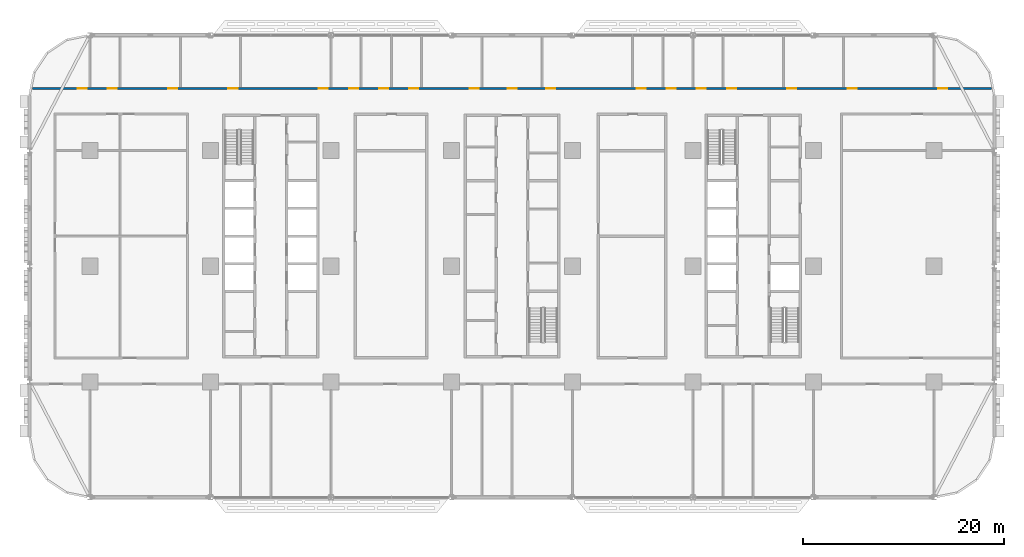
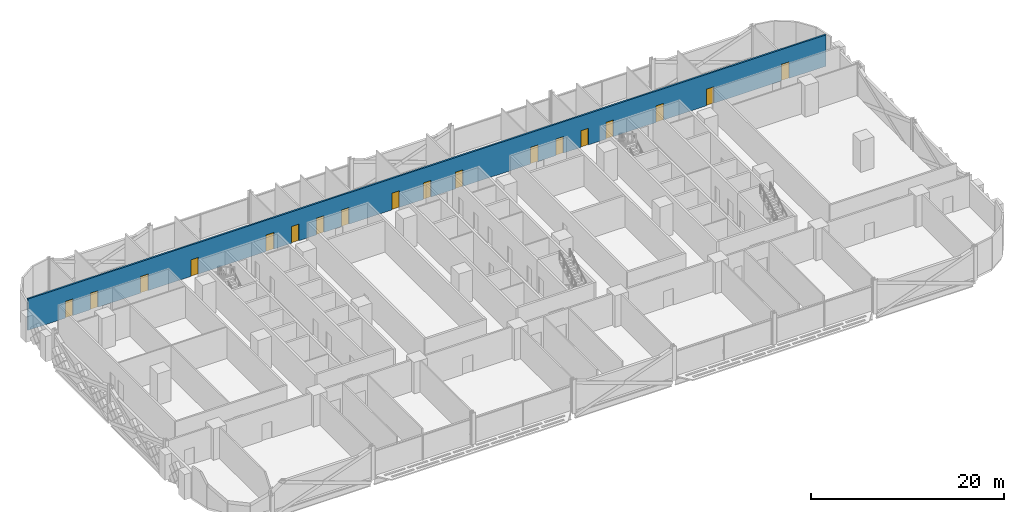
# One storey, part 13 of 27: 18 doors, 1 wall, 18 openings.
"""IFC4 building model written with IfcOpenShell, lengths in metres."""

from ifc_helpers import new_model, si_unit, direction, frame, frame_2d, origin, place, context, subcontext, project, spatial, rectangle, extrude, material, layer, layer_set, type_object, element, fill, save


model = new_model("IFC4")

# Units and contexts
model_context = context("Model", 3, precision=1e-05, world=origin(), true_north=direction((0.0, 1.0)))
body_context = subcontext(model_context, "Body", "Model", "MODEL_VIEW")
ifc_project = project(units=[si_unit("LENGTHUNIT", "METRE"), si_unit("AREAUNIT", "SQUARE_METRE"), si_unit("VOLUMEUNIT", "CUBIC_METRE"), si_unit("PLANEANGLEUNIT", "RADIAN"), si_unit("MASSUNIT", "GRAM", prefix="KILO")], contexts=[model_context])

# Site, building, storey
site_placement = place(None, origin())
site = spatial("IfcSite", under=ifc_project, at=site_placement, CompositionType="ELEMENT")
building_placement = place(site_placement, origin())
building = spatial("IfcBuilding", under=site, at=building_placement, Name="Mahtab Terrace Research Tower", CompositionType="ELEMENT")
storey_placement = place(building_placement, frame((0.0, 0.0, 28.699951171875)))
storey = spatial("IfcBuildingStorey", under=building, at=storey_placement, Name="L06", CompositionType="ELEMENT", Elevation=28.699951171875)

# Wall, openings, doors
ifc_material_1 = material(Name="Gypsum board corridor wall on steel studs", Category="steel")
ifc_layer = layer(ifc_material_1, 0.199951171875)
ifc_layer_set = layer_set([ifc_layer], Name="WALL CORRIDOR 200")
wall_type = type_object("IfcWallType", Name="WALL CORRIDOR 200", PredefinedType="PARTITIONING", material=ifc_layer_set)
wall_placement = place(storey_placement, frame((-47.707763671875, 17.699951171875, 0.0), z_axis=(0.0, 0.0, 1.0), x_axis=(1.0, 0.0, 0.0)))
wall = element("IfcWall", 1, at=wall_placement, inside=storey, type_object=wall_type, Name="L06-W026", PredefinedType="PARTITIONING", context=body_context, shape_type="SweptSolid", body=[
    extrude(rectangle(XDim=95.41552734375, YDim=0.199951171875, at=frame_2d((47.707763671875, 0.0))), origin(), (0.0, 0.0, 1.0), 3.9599609375),
])
opening_1_placement = place(wall_placement, frame((4.5, 0.0, 0.0)))
opening_1 = element("IfcOpeningElement", 2, at=opening_1_placement, cuts=wall, Name="Opening L06-129", PredefinedType="OPENING", context=body_context, shape_type="SweptSolid", body=[
    extrude(rectangle(XDim=0.89990234375, YDim=2.10009765625, at=frame_2d((0.449951171875, 1.050048828125))), frame((0.0, 0.10986328125, 0.0), z_axis=(0.0, -1.0, 0.0), x_axis=(1.0, 0.0, 0.0)), (0.0, 0.0, 1.0), 0.219970703125),
])
opening_2_placement = place(wall_placement, frame((7.5, 0.0, 0.0)))
opening_2 = element("IfcOpeningElement", 3, at=opening_2_placement, cuts=wall, Name="Opening L06-130", PredefinedType="OPENING", context=body_context, shape_type="SweptSolid", body=[
    extrude(rectangle(XDim=0.89990234375, YDim=2.10009765625, at=frame_2d((0.449951171875, 1.050048828125))), frame((0.0, 0.10986328125, 0.0), z_axis=(0.0, -1.0, 0.0), x_axis=(1.0, 0.0, 0.0)), (0.0, 0.0, 1.0), 0.219970703125),
])
opening_3_placement = place(wall_placement, frame((13.5, 0.0, 0.0)))
opening_3 = element("IfcOpeningElement", 4, at=opening_3_placement, cuts=wall, Name="Opening L06-131", PredefinedType="OPENING", context=body_context, shape_type="SweptSolid", body=[
    extrude(rectangle(XDim=0.89990234375, YDim=2.10009765625, at=frame_2d((0.449951171875, 1.050048828125))), frame((0.0, 0.10986328125, 0.0), z_axis=(0.0, -1.0, 0.0), x_axis=(1.0, 0.0, 0.0)), (0.0, 0.0, 1.0), 0.219970703125),
])
opening_4_placement = place(wall_placement, frame((19.5, 0.0, 0.0)))
opening_4 = element("IfcOpeningElement", 5, at=opening_4_placement, cuts=wall, Name="Opening L06-132", PredefinedType="OPENING", context=body_context, shape_type="SweptSolid", body=[
    extrude(rectangle(XDim=0.89990234375, YDim=2.10009765625, at=frame_2d((0.449951171875, 1.050048828125))), frame((0.0, 0.10986328125, 0.0), z_axis=(0.0, -1.0, 0.0), x_axis=(1.0, 0.0, 0.0)), (0.0, 0.0, 1.0), 0.219970703125),
])
opening_5_placement = place(wall_placement, frame((28.5, 0.0, 0.0)))
opening_5 = element("IfcOpeningElement", 6, at=opening_5_placement, cuts=wall, Name="Opening L06-133", PredefinedType="OPENING", context=body_context, shape_type="SweptSolid", body=[
    extrude(rectangle(XDim=0.89990234375, YDim=2.10009765625, at=frame_2d((0.449951171875, 1.050048828125))), frame((0.0, 0.10986328125, 0.0), z_axis=(0.0, -1.0, 0.0), x_axis=(1.0, 0.0, 0.0)), (0.0, 0.0, 1.0), 0.219970703125),
])
opening_6_placement = place(wall_placement, frame((31.5, 0.0, 0.0)))
opening_6 = element("IfcOpeningElement", 7, at=opening_6_placement, cuts=wall, Name="Opening L06-134", PredefinedType="OPENING", context=body_context, shape_type="SweptSolid", body=[
    extrude(rectangle(XDim=0.89990234375, YDim=2.10009765625, at=frame_2d((0.449951171875, 1.050048828125))), frame((0.0, 0.10986328125, 0.0), z_axis=(0.0, -1.0, 0.0), x_axis=(1.0, 0.0, 0.0)), (0.0, 0.0, 1.0), 0.219970703125),
])
opening_7_placement = place(wall_placement, frame((34.5, 0.0, 0.0)))
opening_7 = element("IfcOpeningElement", 8, at=opening_7_placement, cuts=wall, Name="Opening L06-135", PredefinedType="OPENING", context=body_context, shape_type="SweptSolid", body=[
    extrude(rectangle(XDim=0.89990234375, YDim=2.10009765625, at=frame_2d((0.449951171875, 1.050048828125))), frame((0.0, 0.10986328125, 0.0), z_axis=(0.0, -1.0, 0.0), x_axis=(1.0, 0.0, 0.0)), (0.0, 0.0, 1.0), 0.219970703125),
])
opening_8_placement = place(wall_placement, frame((37.5, 0.0, 0.0)))
opening_8 = element("IfcOpeningElement", 9, at=opening_8_placement, cuts=wall, Name="Opening L06-136", PredefinedType="OPENING", context=body_context, shape_type="SweptSolid", body=[
    extrude(rectangle(XDim=0.89990234375, YDim=2.10009765625, at=frame_2d((0.449951171875, 1.050048828125))), frame((0.0, 0.10986328125, 0.0), z_axis=(0.0, -1.0, 0.0), x_axis=(1.0, 0.0, 0.0)), (0.0, 0.0, 1.0), 0.219970703125),
])
opening_9_placement = place(wall_placement, frame((43.5, 0.0, 0.0)))
opening_9 = element("IfcOpeningElement", 10, at=opening_9_placement, cuts=wall, Name="Opening L06-137", PredefinedType="OPENING", context=body_context, shape_type="SweptSolid", body=[
    extrude(rectangle(XDim=0.89990234375, YDim=2.10009765625, at=frame_2d((0.449951171875, 1.050048828125))), frame((0.0, 0.10986328125, 0.0), z_axis=(0.0, -1.0, 0.0), x_axis=(1.0, 0.0, 0.0)), (0.0, 0.0, 1.0), 0.219970703125),
])
opening_10_placement = place(wall_placement, frame((47.300048828125, 0.0, 0.0)))
opening_10 = element("IfcOpeningElement", 11, at=opening_10_placement, cuts=wall, Name="Opening L06-138", PredefinedType="OPENING", context=body_context, shape_type="SweptSolid", body=[
    extrude(rectangle(XDim=0.89990234375, YDim=2.10009765625, at=frame_2d((0.449951171875, 1.050048828125))), frame((0.0, 0.10986328125, 0.0), z_axis=(0.0, -1.0, 0.0), x_axis=(1.0, 0.0, 0.0)), (0.0, 0.0, 1.0), 0.219970703125),
])
opening_11_placement = place(wall_placement, frame((51.10009765625, 0.0, 0.0)))
opening_11 = element("IfcOpeningElement", 12, at=opening_11_placement, cuts=wall, Name="Opening L06-139", PredefinedType="OPENING", context=body_context, shape_type="SweptSolid", body=[
    extrude(rectangle(XDim=0.89990234375, YDim=2.10009765625, at=frame_2d((0.449951171875, 1.050048828125))), frame((0.0, 0.10986328125, 0.0), z_axis=(0.0, -1.0, 0.0), x_axis=(1.0, 0.0, 0.0)), (0.0, 0.0, 1.0), 0.219970703125),
])
opening_12_placement = place(wall_placement, frame((60.10009765625, 0.0, 0.0)))
opening_12 = element("IfcOpeningElement", 13, at=opening_12_placement, cuts=wall, Name="Opening L06-140", PredefinedType="OPENING", context=body_context, shape_type="SweptSolid", body=[
    extrude(rectangle(XDim=0.89990234375, YDim=2.10009765625, at=frame_2d((0.449951171875, 1.050048828125))), frame((0.0, 0.10986328125, 0.0), z_axis=(0.0, -1.0, 0.0), x_axis=(1.0, 0.0, 0.0)), (0.0, 0.0, 1.0), 0.219970703125),
])
opening_13_placement = place(wall_placement, frame((63.10009765625, 0.0, 0.0)))
opening_13 = element("IfcOpeningElement", 14, at=opening_13_placement, cuts=wall, Name="Opening L06-141", PredefinedType="OPENING", context=body_context, shape_type="SweptSolid", body=[
    extrude(rectangle(XDim=0.89990234375, YDim=2.10009765625, at=frame_2d((0.449951171875, 1.050048828125))), frame((0.0, 0.10986328125, 0.0), z_axis=(0.0, -1.0, 0.0), x_axis=(1.0, 0.0, 0.0)), (0.0, 0.0, 1.0), 0.219970703125),
])
opening_14_placement = place(wall_placement, frame((66.10009765625, 0.0, 0.0)))
opening_14 = element("IfcOpeningElement", 15, at=opening_14_placement, cuts=wall, Name="Opening L06-142", PredefinedType="OPENING", context=body_context, shape_type="SweptSolid", body=[
    extrude(rectangle(XDim=0.89990234375, YDim=2.10009765625, at=frame_2d((0.449951171875, 1.050048828125))), frame((0.0, 0.10986328125, 0.0), z_axis=(0.0, -1.0, 0.0), x_axis=(1.0, 0.0, 0.0)), (0.0, 0.0, 1.0), 0.219970703125),
])
opening_15_placement = place(wall_placement, frame((69.10009765625, 0.0, 0.0)))
opening_15 = element("IfcOpeningElement", 16, at=opening_15_placement, cuts=wall, Name="Opening L06-143", PredefinedType="OPENING", context=body_context, shape_type="SweptSolid", body=[
    extrude(rectangle(XDim=0.89990234375, YDim=2.10009765625, at=frame_2d((0.449951171875, 1.050048828125))), frame((0.0, 0.10986328125, 0.0), z_axis=(0.0, -1.0, 0.0), x_axis=(1.0, 0.0, 0.0)), (0.0, 0.0, 1.0), 0.219970703125),
])
opening_16_placement = place(wall_placement, frame((75.10009765625, 0.0, 0.0)))
opening_16 = element("IfcOpeningElement", 17, at=opening_16_placement, cuts=wall, Name="Opening L06-144", PredefinedType="OPENING", context=body_context, shape_type="SweptSolid", body=[
    extrude(rectangle(XDim=0.89990234375, YDim=2.10009765625, at=frame_2d((0.449951171875, 1.050048828125))), frame((0.0, 0.10986328125, 0.0), z_axis=(0.0, -1.0, 0.0), x_axis=(1.0, 0.0, 0.0)), (0.0, 0.0, 1.0), 0.219970703125),
])
opening_17_placement = place(wall_placement, frame((81.10009765625, 0.0, 0.0)))
opening_17 = element("IfcOpeningElement", 18, at=opening_17_placement, cuts=wall, Name="Opening L06-145", PredefinedType="OPENING", context=body_context, shape_type="SweptSolid", body=[
    extrude(rectangle(XDim=0.89990234375, YDim=2.10009765625, at=frame_2d((0.449951171875, 1.050048828125))), frame((0.0, 0.10986328125, 0.0), z_axis=(0.0, -1.0, 0.0), x_axis=(1.0, 0.0, 0.0)), (0.0, 0.0, 1.0), 0.219970703125),
])
opening_18_placement = place(wall_placement, frame((90.10009765625, 0.0, 0.0)))
opening_18 = element("IfcOpeningElement", 19, at=opening_18_placement, cuts=wall, Name="Opening L06-146", PredefinedType="OPENING", context=body_context, shape_type="SweptSolid", body=[
    extrude(rectangle(XDim=0.89990234375, YDim=2.10009765625, at=frame_2d((0.449951171875, 1.050048828125))), frame((0.0, 0.10986328125, 0.0), z_axis=(0.0, -1.0, 0.0), x_axis=(1.0, 0.0, 0.0)), (0.0, 0.0, 1.0), 0.219970703125),
])
ifc_material_2 = material(Name="Timber door leaf in steel frame", Category="steel")
door_type = type_object("IfcDoorType", Name="DOOR 0900X2100 FD30S", OperationType="SINGLE_SWING_LEFT", PredefinedType="DOOR", material=ifc_material_2)
door_1_placement = place(opening_1_placement, origin())
door_1 = element("IfcDoor", 20, at=door_1_placement, inside=storey, type_object=door_type, Name="Door L06-129", OperationType="SINGLE_SWING_LEFT", OverallHeight=2.10009765625, OverallWidth=0.89990234375, PredefinedType="DOOR", context=body_context, shape_type="SweptSolid", body=[
    extrude(rectangle(XDim=0.89990234375, YDim=2.10009765625, at=frame_2d((0.449951171875, 1.050048828125))), frame((0.0, 0.02490234375, 0.0), z_axis=(0.0, -1.0, 0.0), x_axis=(1.0, 0.0, 0.0)), (0.0, 0.0, 1.0), 0.050048828125),
])
fill(opening_1, door_1)
door_2_placement = place(opening_2_placement, origin())
door_2 = element("IfcDoor", 21, at=door_2_placement, inside=storey, type_object=door_type, Name="Door L06-130", OperationType="SINGLE_SWING_LEFT", OverallHeight=2.10009765625, OverallWidth=0.89990234375, PredefinedType="DOOR", context=body_context, shape_type="SweptSolid", body=[
    extrude(rectangle(XDim=0.89990234375, YDim=2.10009765625, at=frame_2d((0.449951171875, 1.050048828125))), frame((0.0, 0.02490234375, 0.0), z_axis=(0.0, -1.0, 0.0), x_axis=(1.0, 0.0, 0.0)), (0.0, 0.0, 1.0), 0.050048828125),
])
fill(opening_2, door_2)
door_3_placement = place(opening_3_placement, origin())
door_3 = element("IfcDoor", 22, at=door_3_placement, inside=storey, type_object=door_type, Name="Door L06-131", OperationType="SINGLE_SWING_LEFT", OverallHeight=2.10009765625, OverallWidth=0.89990234375, PredefinedType="DOOR", context=body_context, shape_type="SweptSolid", body=[
    extrude(rectangle(XDim=0.89990234375, YDim=2.10009765625, at=frame_2d((0.449951171875, 1.050048828125))), frame((0.0, 0.02490234375, 0.0), z_axis=(0.0, -1.0, 0.0), x_axis=(1.0, 0.0, 0.0)), (0.0, 0.0, 1.0), 0.050048828125),
])
fill(opening_3, door_3)
door_4_placement = place(opening_4_placement, origin())
door_4 = element("IfcDoor", 23, at=door_4_placement, inside=storey, type_object=door_type, Name="Door L06-132", OperationType="SINGLE_SWING_LEFT", OverallHeight=2.10009765625, OverallWidth=0.89990234375, PredefinedType="DOOR", context=body_context, shape_type="SweptSolid", body=[
    extrude(rectangle(XDim=0.89990234375, YDim=2.10009765625, at=frame_2d((0.449951171875, 1.050048828125))), frame((0.0, 0.02490234375, 0.0), z_axis=(0.0, -1.0, 0.0), x_axis=(1.0, 0.0, 0.0)), (0.0, 0.0, 1.0), 0.050048828125),
])
fill(opening_4, door_4)
door_5_placement = place(opening_5_placement, origin())
door_5 = element("IfcDoor", 24, at=door_5_placement, inside=storey, type_object=door_type, Name="Door L06-133", OperationType="SINGLE_SWING_LEFT", OverallHeight=2.10009765625, OverallWidth=0.89990234375, PredefinedType="DOOR", context=body_context, shape_type="SweptSolid", body=[
    extrude(rectangle(XDim=0.89990234375, YDim=2.10009765625, at=frame_2d((0.449951171875, 1.050048828125))), frame((0.0, 0.02490234375, 0.0), z_axis=(0.0, -1.0, 0.0), x_axis=(1.0, 0.0, 0.0)), (0.0, 0.0, 1.0), 0.050048828125),
])
fill(opening_5, door_5)
door_6_placement = place(opening_6_placement, origin())
door_6 = element("IfcDoor", 25, at=door_6_placement, inside=storey, type_object=door_type, Name="Door L06-134", OperationType="SINGLE_SWING_LEFT", OverallHeight=2.10009765625, OverallWidth=0.89990234375, PredefinedType="DOOR", context=body_context, shape_type="SweptSolid", body=[
    extrude(rectangle(XDim=0.89990234375, YDim=2.10009765625, at=frame_2d((0.449951171875, 1.050048828125))), frame((0.0, 0.02490234375, 0.0), z_axis=(0.0, -1.0, 0.0), x_axis=(1.0, 0.0, 0.0)), (0.0, 0.0, 1.0), 0.050048828125),
])
fill(opening_6, door_6)
door_7_placement = place(opening_7_placement, origin())
door_7 = element("IfcDoor", 26, at=door_7_placement, inside=storey, type_object=door_type, Name="Door L06-135", OperationType="SINGLE_SWING_LEFT", OverallHeight=2.10009765625, OverallWidth=0.89990234375, PredefinedType="DOOR", context=body_context, shape_type="SweptSolid", body=[
    extrude(rectangle(XDim=0.89990234375, YDim=2.10009765625, at=frame_2d((0.449951171875, 1.050048828125))), frame((0.0, 0.02490234375, 0.0), z_axis=(0.0, -1.0, 0.0), x_axis=(1.0, 0.0, 0.0)), (0.0, 0.0, 1.0), 0.050048828125),
])
fill(opening_7, door_7)
door_8_placement = place(opening_8_placement, origin())
door_8 = element("IfcDoor", 27, at=door_8_placement, inside=storey, type_object=door_type, Name="Door L06-136", OperationType="SINGLE_SWING_LEFT", OverallHeight=2.10009765625, OverallWidth=0.89990234375, PredefinedType="DOOR", context=body_context, shape_type="SweptSolid", body=[
    extrude(rectangle(XDim=0.89990234375, YDim=2.10009765625, at=frame_2d((0.449951171875, 1.050048828125))), frame((0.0, 0.02490234375, 0.0), z_axis=(0.0, -1.0, 0.0), x_axis=(1.0, 0.0, 0.0)), (0.0, 0.0, 1.0), 0.050048828125),
])
fill(opening_8, door_8)
door_9_placement = place(opening_9_placement, origin())
door_9 = element("IfcDoor", 28, at=door_9_placement, inside=storey, type_object=door_type, Name="Door L06-137", OperationType="SINGLE_SWING_LEFT", OverallHeight=2.10009765625, OverallWidth=0.89990234375, PredefinedType="DOOR", context=body_context, shape_type="SweptSolid", body=[
    extrude(rectangle(XDim=0.89990234375, YDim=2.10009765625, at=frame_2d((0.449951171875, 1.050048828125))), frame((0.0, 0.02490234375, 0.0), z_axis=(0.0, -1.0, 0.0), x_axis=(1.0, 0.0, 0.0)), (0.0, 0.0, 1.0), 0.050048828125),
])
fill(opening_9, door_9)
door_10_placement = place(opening_10_placement, origin())
door_10 = element("IfcDoor", 29, at=door_10_placement, inside=storey, type_object=door_type, Name="Door L06-138", OperationType="SINGLE_SWING_RIGHT", OverallHeight=2.10009765625, OverallWidth=0.89990234375, PredefinedType="DOOR", context=body_context, shape_type="SweptSolid", body=[
    extrude(rectangle(XDim=0.89990234375, YDim=2.10009765625, at=frame_2d((0.449951171875, 1.050048828125))), frame((0.0, 0.02490234375, 0.0), z_axis=(0.0, -1.0, 0.0), x_axis=(1.0, 0.0, 0.0)), (0.0, 0.0, 1.0), 0.050048828125),
])
fill(opening_10, door_10)
door_11_placement = place(opening_11_placement, origin())
door_11 = element("IfcDoor", 30, at=door_11_placement, inside=storey, type_object=door_type, Name="Door L06-139", OperationType="SINGLE_SWING_RIGHT", OverallHeight=2.10009765625, OverallWidth=0.89990234375, PredefinedType="DOOR", context=body_context, shape_type="SweptSolid", body=[
    extrude(rectangle(XDim=0.89990234375, YDim=2.10009765625, at=frame_2d((0.449951171875, 1.050048828125))), frame((0.0, 0.02490234375, 0.0), z_axis=(0.0, -1.0, 0.0), x_axis=(1.0, 0.0, 0.0)), (0.0, 0.0, 1.0), 0.050048828125),
])
fill(opening_11, door_11)
door_12_placement = place(opening_12_placement, origin())
door_12 = element("IfcDoor", 31, at=door_12_placement, inside=storey, type_object=door_type, Name="Door L06-140", OperationType="SINGLE_SWING_RIGHT", OverallHeight=2.10009765625, OverallWidth=0.89990234375, PredefinedType="DOOR", context=body_context, shape_type="SweptSolid", body=[
    extrude(rectangle(XDim=0.89990234375, YDim=2.10009765625, at=frame_2d((0.449951171875, 1.050048828125))), frame((0.0, 0.02490234375, 0.0), z_axis=(0.0, -1.0, 0.0), x_axis=(1.0, 0.0, 0.0)), (0.0, 0.0, 1.0), 0.050048828125),
])
fill(opening_12, door_12)
door_13_placement = place(opening_13_placement, origin())
door_13 = element("IfcDoor", 32, at=door_13_placement, inside=storey, type_object=door_type, Name="Door L06-141", OperationType="SINGLE_SWING_RIGHT", OverallHeight=2.10009765625, OverallWidth=0.89990234375, PredefinedType="DOOR", context=body_context, shape_type="SweptSolid", body=[
    extrude(rectangle(XDim=0.89990234375, YDim=2.10009765625, at=frame_2d((0.449951171875, 1.050048828125))), frame((0.0, 0.02490234375, 0.0), z_axis=(0.0, -1.0, 0.0), x_axis=(1.0, 0.0, 0.0)), (0.0, 0.0, 1.0), 0.050048828125),
])
fill(opening_13, door_13)
door_14_placement = place(opening_14_placement, origin())
door_14 = element("IfcDoor", 33, at=door_14_placement, inside=storey, type_object=door_type, Name="Door L06-142", OperationType="SINGLE_SWING_RIGHT", OverallHeight=2.10009765625, OverallWidth=0.89990234375, PredefinedType="DOOR", context=body_context, shape_type="SweptSolid", body=[
    extrude(rectangle(XDim=0.89990234375, YDim=2.10009765625, at=frame_2d((0.449951171875, 1.050048828125))), frame((0.0, 0.02490234375, 0.0), z_axis=(0.0, -1.0, 0.0), x_axis=(1.0, 0.0, 0.0)), (0.0, 0.0, 1.0), 0.050048828125),
])
fill(opening_14, door_14)
door_15_placement = place(opening_15_placement, origin())
door_15 = element("IfcDoor", 34, at=door_15_placement, inside=storey, type_object=door_type, Name="Door L06-143", OperationType="SINGLE_SWING_RIGHT", OverallHeight=2.10009765625, OverallWidth=0.89990234375, PredefinedType="DOOR", context=body_context, shape_type="SweptSolid", body=[
    extrude(rectangle(XDim=0.89990234375, YDim=2.10009765625, at=frame_2d((0.449951171875, 1.050048828125))), frame((0.0, 0.02490234375, 0.0), z_axis=(0.0, -1.0, 0.0), x_axis=(1.0, 0.0, 0.0)), (0.0, 0.0, 1.0), 0.050048828125),
])
fill(opening_15, door_15)
door_16_placement = place(opening_16_placement, origin())
door_16 = element("IfcDoor", 35, at=door_16_placement, inside=storey, type_object=door_type, Name="Door L06-144", OperationType="SINGLE_SWING_RIGHT", OverallHeight=2.10009765625, OverallWidth=0.89990234375, PredefinedType="DOOR", context=body_context, shape_type="SweptSolid", body=[
    extrude(rectangle(XDim=0.89990234375, YDim=2.10009765625, at=frame_2d((0.449951171875, 1.050048828125))), frame((0.0, 0.02490234375, 0.0), z_axis=(0.0, -1.0, 0.0), x_axis=(1.0, 0.0, 0.0)), (0.0, 0.0, 1.0), 0.050048828125),
])
fill(opening_16, door_16)
door_17_placement = place(opening_17_placement, origin())
door_17 = element("IfcDoor", 36, at=door_17_placement, inside=storey, type_object=door_type, Name="Door L06-145", OperationType="SINGLE_SWING_RIGHT", OverallHeight=2.10009765625, OverallWidth=0.89990234375, PredefinedType="DOOR", context=body_context, shape_type="SweptSolid", body=[
    extrude(rectangle(XDim=0.89990234375, YDim=2.10009765625, at=frame_2d((0.449951171875, 1.050048828125))), frame((0.0, 0.02490234375, 0.0), z_axis=(0.0, -1.0, 0.0), x_axis=(1.0, 0.0, 0.0)), (0.0, 0.0, 1.0), 0.050048828125),
])
fill(opening_17, door_17)
door_18_placement = place(opening_18_placement, origin())
door_18 = element("IfcDoor", 37, at=door_18_placement, inside=storey, type_object=door_type, Name="Door L06-146", OperationType="SINGLE_SWING_RIGHT", OverallHeight=2.10009765625, OverallWidth=0.89990234375, PredefinedType="DOOR", context=body_context, shape_type="SweptSolid", body=[
    extrude(rectangle(XDim=0.89990234375, YDim=2.10009765625, at=frame_2d((0.449951171875, 1.050048828125))), frame((0.0, 0.02490234375, 0.0), z_axis=(0.0, -1.0, 0.0), x_axis=(1.0, 0.0, 0.0)), (0.0, 0.0, 1.0), 0.050048828125),
])
fill(opening_18, door_18)

save(model, "model.ifc")
